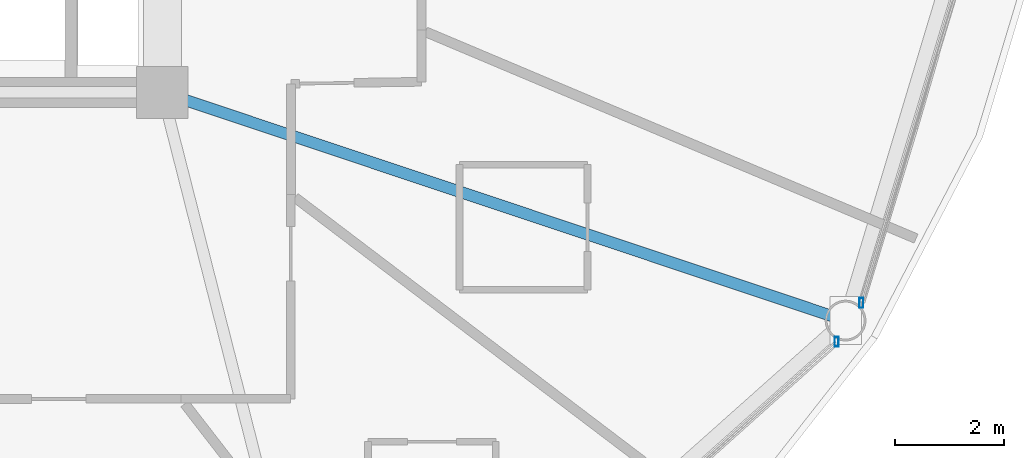
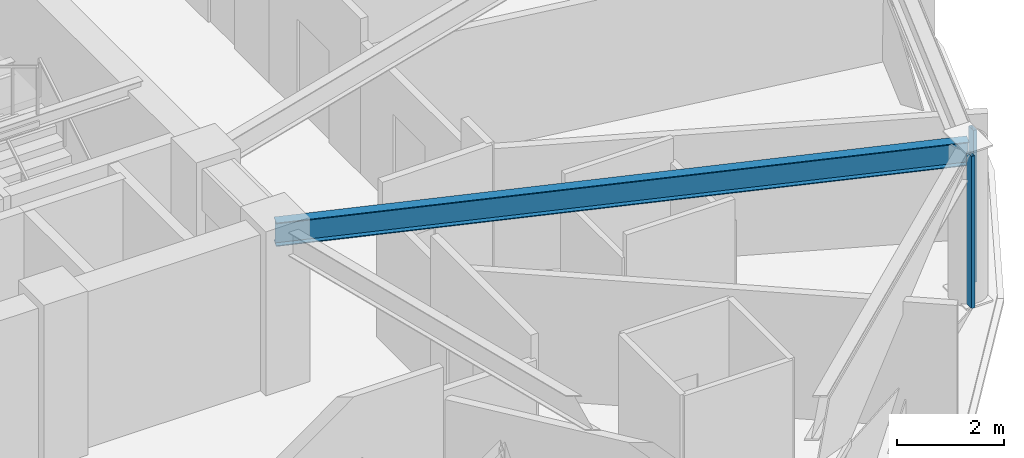
# One storey, part 11 of 32: 2 members, 1 beam, 2 elements without a shape of their own.
"""IFC4 building model written with IfcOpenShell, lengths in metres."""

from ifc_helpers import new_model, si_unit, direction, frame, origin, origin_2d, place, context, subcontext, project, spatial, hollow_rectangle, i_section, extrude, material, layer, layer_set, material_profile, profile_set, type_object, element, aggregate, save


model = new_model("IFC4")

# Units and contexts
model_context = context("Model", 3, precision=1e-05, world=origin(), true_north=direction((0.0, 1.0)))
body_context = subcontext(model_context, "Body", "Model", "MODEL_VIEW")
ifc_project = project(units=[si_unit("LENGTHUNIT", "METRE"), si_unit("AREAUNIT", "SQUARE_METRE"), si_unit("VOLUMEUNIT", "CUBIC_METRE"), si_unit("PLANEANGLEUNIT", "RADIAN"), si_unit("MASSUNIT", "GRAM", prefix="KILO")], contexts=[model_context])

# Site, building, storey
site_placement = place(None, origin())
site = spatial("IfcSite", under=ifc_project, at=site_placement, CompositionType="ELEMENT")
building_placement = place(site_placement, origin())
building = spatial("IfcBuilding", under=site, at=building_placement, Name="Vantalir Tower", CompositionType="ELEMENT")
storey_placement = place(building_placement, frame((0.0, 0.0, 108.449951171875)))
storey = spatial("IfcBuildingStorey", under=building, at=storey_placement, Name="L26", CompositionType="ELEMENT", Elevation=108.449951171875)

# Beam
ifc_material_1 = material(Name="Steel S355", Category="steel")
ifc_material_profile_1 = material_profile(ifc_material_1, i_section(OverallWidth=0.2109375, OverallDepth=0.5390625, WebThickness=0.01171875, FlangeThickness=0.018798828125, at=origin_2d()), Name="Steel S355")
ifc_profile_set_1 = profile_set([ifc_material_profile_1], Name="Steel S355")
beam_type = type_object("IfcBeamType", Name="BM-RB-533x210", PredefinedType="BEAM", material=ifc_profile_set_1)
beam_placement = place(storey_placement, frame((53.659912109375, 13.60595703125, 3.300048828125), z_axis=(-0.948513537224, 0.316736593565, 0.0), x_axis=(-0.316736593565, -0.948513537224, 0.0)))
element("IfcBeam", 1, at=beam_placement, inside=storey, type_object=beam_type, Name="L26 Radial Floor Beam 12", PredefinedType="BEAM", context=body_context, shape_type="SweptSolid", body=[
    extrude(i_section(OverallWidth=0.2109375, OverallDepth=0.5390625, WebThickness=0.01171875, FlangeThickness=0.018798828125, at=origin_2d()), origin(), (0.0, 0.0, 1.0), 13.241455078125),
])

# Curtain wall, member
ifc_material_2 = material(Name="Champagne-silver PVDF aluminium and double-silver Low-E glass", Category="aluminium")
ifc_layer = layer(ifc_material_2, 0.199951171875)
ifc_layer_set = layer_set([ifc_layer], Name="Champagne-silver PVDF aluminium and double-silver Low-E glass")
curtain_wall_type = type_object("IfcCurtainWallType", Name="CW-DIAMOND-Z2", PredefinedType="USERDEFINED", material=ifc_layer_set)
curtain_wall_1_placement = place(storey_placement, origin())
curtain_wall_1 = element("IfcCurtainWall", 2, at=curtain_wall_1_placement, inside=storey, type_object=curtain_wall_type, Name="L26 Quilted Pyramid-Diamond Curtain Wall S11", ObjectType="UNITISED CURTAIN WALL", PredefinedType="USERDEFINED")
ifc_material_3 = material(Name="Champagne-silver PVDF aluminium 6063-T6", Category="aluminium")
ifc_material_profile_2 = material_profile(ifc_material_3, hollow_rectangle(XDim=0.074951171875, YDim=0.179931640625, WallThickness=0.00390625, at=origin_2d()), Name="Champagne-silver PVDF aluminium 6063-T6")
ifc_profile_set_2 = profile_set([ifc_material_profile_2], Name="Champagne-silver PVDF aluminium 6063-T6")
member_type = type_object("IfcMemberType", Name="CWM-180x75", PredefinedType="MULLION", material=ifc_profile_set_2)
member_1_placement = place(storey_placement, frame((53.49609375, 13.218017578125, 0.045166015625), z_axis=(0.0, 0.0, 1.0), x_axis=(1.0, 0.0, 0.0)))
member_1 = element("IfcMember", 3, at=member_1_placement, type_object=member_type, Name="CW-L26-S11 Mullion 2", PredefinedType="MULLION", context=body_context, shape_type="SweptSolid", body=[
    extrude(hollow_rectangle(XDim=0.074951171875, YDim=0.179931640625, WallThickness=0.00390625, at=origin_2d()), origin(), (0.0, 0.0, 1.0), 3.47998046875),
])
aggregate(curtain_wall_1, [member_1])

curtain_wall_2_placement = place(storey_placement, origin())
curtain_wall_2 = element("IfcCurtainWall", 4, at=curtain_wall_2_placement, inside=storey, type_object=curtain_wall_type, Name="L26 Quilted Pyramid-Diamond Curtain Wall S12", ObjectType="UNITISED CURTAIN WALL", PredefinedType="USERDEFINED")
member_2_placement = place(storey_placement, frame((53.950927734375, 13.931884765625, 0.045166015625), z_axis=(0.0, 0.0, 1.0), x_axis=(1.0, 0.0, 0.0)))
member_2 = element("IfcMember", 5, at=member_2_placement, type_object=member_type, Name="CW-L26-S12 Mullion 1", PredefinedType="MULLION", context=body_context, shape_type="SweptSolid", body=[
    extrude(hollow_rectangle(XDim=0.074951171875, YDim=0.179931640625, WallThickness=0.00390625, at=origin_2d()), origin(), (0.0, 0.0, 1.0), 3.47998046875),
])
aggregate(curtain_wall_2, [member_2])

save(model, "model.ifc")
